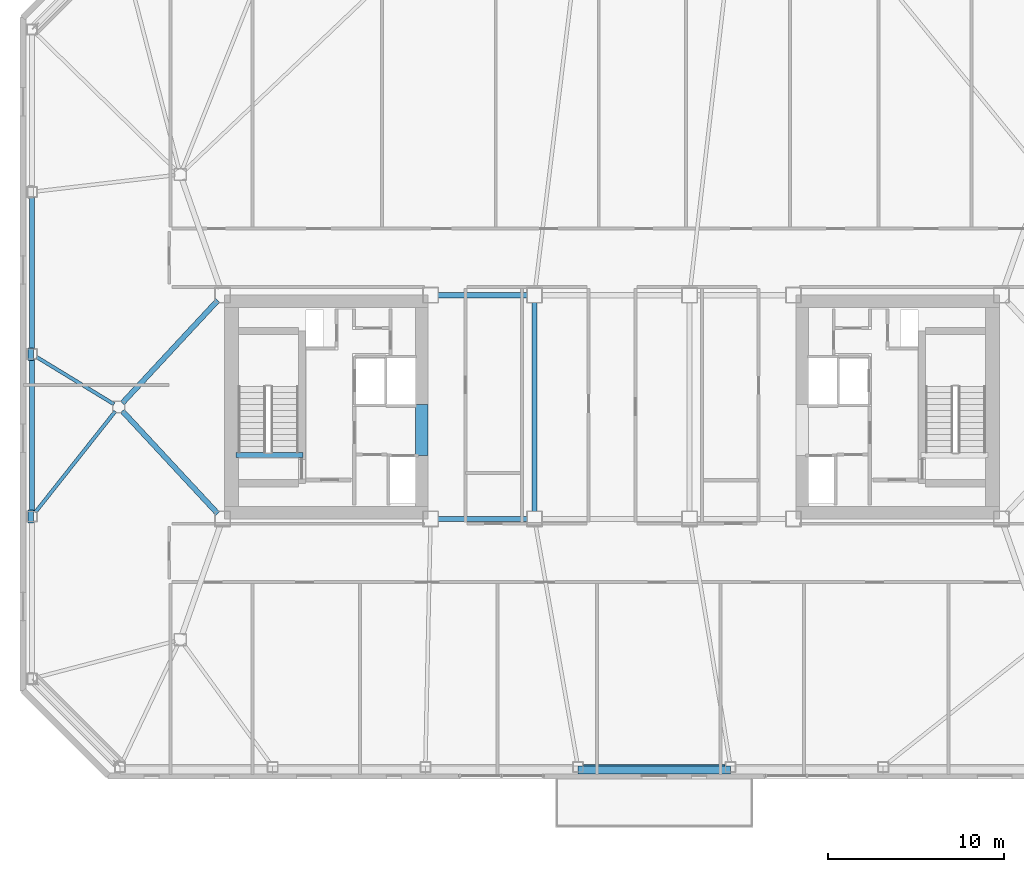
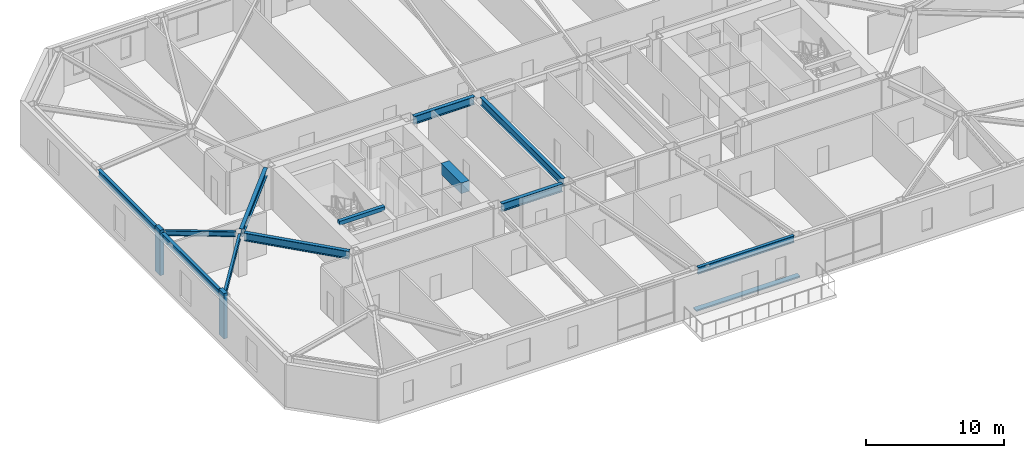
# One storey, part 3 of 19: 12 beams, 3 members.
"""IFC4 building model written with IfcOpenShell, lengths in metres."""

from ifc_helpers import new_model, si_unit, direction, frame, origin, origin_2d, place, context, subcontext, project, spatial, rectangle, i_section, extrude, material, material_profile, profile_set, type_object, element, save


model = new_model("IFC4")

# Units and contexts
model_context = context("Model", 3, precision=1e-05, world=origin(), true_north=direction((0.0, 1.0)))
body_context = subcontext(model_context, "Body", "Model", "MODEL_VIEW")
ifc_project = project(units=[si_unit("LENGTHUNIT", "METRE"), si_unit("AREAUNIT", "SQUARE_METRE"), si_unit("VOLUMEUNIT", "CUBIC_METRE"), si_unit("PLANEANGLEUNIT", "RADIAN"), si_unit("MASSUNIT", "GRAM", prefix="KILO")], contexts=[model_context])

# Site, building, storey
site_placement = place(None, origin())
site = spatial("IfcSite", under=ifc_project, at=site_placement, CompositionType="ELEMENT")
building_placement = place(site_placement, origin())
building = spatial("IfcBuilding", under=site, at=building_placement, Name="Tavrogorsk Clinical Tower", CompositionType="ELEMENT")
storey_placement = place(building_placement, frame((0.0, 0.0, 188.199951171875)))
storey = spatial("IfcBuildingStorey", under=building, at=storey_placement, Name="L43", CompositionType="ELEMENT", Elevation=188.199951171875)

# Member
ifc_material_1 = material(Name="Anodised aluminium alloy AW-6063", Category="aluminium")
ifc_material_profile_1 = material_profile(ifc_material_1, rectangle(XDim=0.449951171875, YDim=0.1201171875, at=origin_2d()), Name="ALU-SUNSHADE-450x120")
ifc_profile_set_1 = profile_set([ifc_material_profile_1], Name="Anodised aluminium alloy AW-6063")
member_type_1 = type_object("IfcMemberType", Name="ChicagoSunshade_450x120", PredefinedType="USERDEFINED", material=ifc_profile_set_1)
member_placement = place(storey_placement, frame((-1.931396484375, -20.60009765625, 0.179931640625), z_axis=(1.0, 0.0, 0.0), x_axis=(0.0, 1.0, 0.0)))
element("IfcMember", 1, at=member_placement, inside=storey, type_object=member_type_1, Name="L43 South Aluminium Sunshade S4", ObjectType="SUNSHADE", PredefinedType="USERDEFINED", context=body_context, shape_type="SweptSolid", body=[
    extrude(rectangle(XDim=0.449951171875, YDim=0.1201171875, at=origin_2d()), origin(), (0.0, 0.0, 1.0), 8.662841796875),
])

# Beams
ifc_material_2 = material(Name="Concrete B80", Category="concrete")
ifc_material_profile_2 = material_profile(ifc_material_2, rectangle(XDim=0.699951171875, YDim=0.949951171875, at=origin_2d()), Name="RC-CB-700x950")
ifc_profile_set_2 = profile_set([ifc_material_profile_2], Name="Concrete B80")
beam_type_1 = type_object("IfcBeamType", Name="CouplingBeam_RC700x950", PredefinedType="LINTEL", material=ifc_profile_set_2)
beam_1_placement = place(storey_placement, frame((-10.800048828125, -2.75, 3.26513671875), z_axis=(0.0, 1.0, 0.0), x_axis=(-1.0, 0.0, 0.0)))
element("IfcBeam", 2, at=beam_1_placement, inside=storey, type_object=beam_type_1, Name="L43 Core West Coupling Beam", PredefinedType="LINTEL", context=body_context, shape_type="SweptSolid", body=[
    extrude(rectangle(XDim=0.699951171875, YDim=0.949951171875, at=origin_2d()), origin(), (0.0, 0.0, 1.0), 2.89990234375),
])
ifc_material_3 = material(Name="Structural steel S355", Category="steel")
ifc_material_profile_3 = material_profile(ifc_material_3, i_section(OverallWidth=0.199951171875, OverallDepth=0.449951171875, WebThickness=0.011474609375, FlangeThickness=0.01806640625, at=origin_2d()), Name="B-450x200x11.5x18")
ifc_profile_set_3 = profile_set([ifc_material_profile_3], Name="Structural steel S355")
beam_type_2 = type_object("IfcBeamType", Name="FloorBeam_B450", PredefinedType="BEAM", material=ifc_profile_set_3)
beam_2_placement = place(storey_placement, frame((-28.2646484375, 0.161376953125, 3.51513671875), z_axis=(-0.853798748257, 0.520603205402, 0.0), x_axis=(-0.520603205402, -0.853798748257, 0.0)))
element("IfcBeam", 3, at=beam_2_placement, inside=storey, type_object=beam_type_2, Name="L43 Radial Floor Beam W3", PredefinedType="BEAM", context=body_context, shape_type="SweptSolid", body=[
    extrude(i_section(OverallWidth=0.199951171875, OverallDepth=0.449951171875, WebThickness=0.011474609375, FlangeThickness=0.01806640625, at=origin_2d()), origin(), (0.0, 0.0, 1.0), 5.14453125),
])
beam_3_placement = place(storey_placement, frame((-28.192626953125, -0.242919921875, 3.51513671875), z_axis=(-0.620987118336, -0.783820769603, 0.0), x_axis=(0.783820769603, -0.620987118336, 0.0)))
element("IfcBeam", 4, at=beam_3_placement, inside=storey, type_object=beam_type_2, Name="L43 Radial Floor Beam W4", PredefinedType="BEAM", context=body_context, shape_type="SweptSolid", body=[
    extrude(i_section(OverallWidth=0.199951171875, OverallDepth=0.449951171875, WebThickness=0.011474609375, FlangeThickness=0.01806640625, at=origin_2d()), origin(), (0.0, 0.0, 1.0), 7.3046875),
])

# Members
ifc_material_4 = material(Name="Precast concrete B45 with limestone cladding", Category="masonry")
ifc_material_profile_4 = material_profile(ifc_material_4, rectangle(XDim=0.320068359375, YDim=0.719970703125, at=origin_2d()), Name="LIMESTONE-FIN-320x720")
ifc_profile_set_4 = profile_set([ifc_material_profile_4], Name="Precast concrete B45 with limestone cladding")
member_type_2 = type_object("IfcMemberType", Name="LimestonePleatFin_320x720", PredefinedType="USERDEFINED", material=ifc_profile_set_4)
for number, where, z_axis, x_axis, name in (
    (5, (-33.0, 3.0, 0.0), (0.0, 0.0, 1.0), (1.0, 0.0, 0.0), "L43 W Pleated Stone Fin 2"),
    (6, (-33.0, -6.2099609375, 0.0), (0.0, 0.0, 1.0), (1.0, 0.0, 0.0), "L43 W Pleated Stone Fin 3"),
):
    element("IfcMember", number, at=place(storey_placement, frame(where, z_axis=z_axis, x_axis=x_axis)), inside=storey, type_object=member_type_2, Name=name, ObjectType="FIN", PredefinedType="USERDEFINED", context=body_context, shape_type="SweptSolid", body=[
        extrude(rectangle(XDim=0.320068359375, YDim=0.719970703125, at=origin_2d()), origin(), (0.0, 0.0, 1.0), 4.0),
    ])

# Beams
ifc_material_5 = material(Name="Structural steel S390", Category="steel")
ifc_material_profile_5 = material_profile(ifc_material_5, i_section(OverallWidth=0.300048828125, OverallDepth=0.699951171875, WebThickness=0.01708984375, FlangeThickness=0.028076171875, at=origin_2d()), Name="B-700x300x17x28")
ifc_profile_set_5 = profile_set([ifc_material_profile_5], Name="Structural steel S390")
beam_type_3 = type_object("IfcBeamType", Name="PrimaryGirder_B700", PredefinedType="USERDEFINED", material=ifc_profile_set_5)
for number, where, z_axis, x_axis, name in (
    (7, (-9.889892578125, -6.35009765625, 3.39013671875), (1.0, 0.0, 0.0), (0.0, 1.0, 0.0), "L43 Primary Spine Girder MG-01"),
    (8, (-9.889892578125, 6.35009765625, 3.39013671875), (1.0, 0.0, 0.0), (0.0, 1.0, 0.0), "L43 Primary Spine Girder MG-02"),
):
    element("IfcBeam", number, at=place(storey_placement, frame(where, z_axis=z_axis, x_axis=x_axis)), inside=storey, type_object=beam_type_3, Name=name, ObjectType="GIRDER", PredefinedType="USERDEFINED", context=body_context, shape_type="SweptSolid", body=[
        extrude(i_section(OverallWidth=0.300048828125, OverallDepth=0.699951171875, WebThickness=0.01708984375, FlangeThickness=0.028076171875, at=origin_2d()), origin(), (0.0, 0.0, 1.0), 5.079833984375),
    ])
beam_4_placement = place(storey_placement, frame((-4.39990234375, -5.93994140625, 3.39013671875), z_axis=(0.0, 1.0, 0.0), x_axis=(-1.0, 0.0, 0.0)))
element("IfcBeam", 9, at=beam_4_placement, inside=storey, type_object=beam_type_3, Name="L43 Primary Spine Girder MG-07", ObjectType="GIRDER", PredefinedType="USERDEFINED", context=body_context, shape_type="SweptSolid", body=[
    extrude(i_section(OverallWidth=0.300048828125, OverallDepth=0.699951171875, WebThickness=0.01708984375, FlangeThickness=0.028076171875, at=origin_2d()), origin(), (0.0, 0.0, 1.0), 11.8798828125),
])
for number, where, z_axis, x_axis, name in (
    (10, (-27.7890625, -0.22705078125, 3.39013671875), (0.680673750312, -0.732586681312, 0.0), (0.732586681312, 0.680673750312, 0.0), "L43 Spine Link Girder OPG-5"),
    (11, (-27.7890625, 0.22705078125, 3.39013671875), (0.680673750312, 0.732586681312, 0.0), (-0.732586681312, 0.680673750312, 0.0), "L43 Spine Link Girder OPG-6"),
):
    element("IfcBeam", number, at=place(storey_placement, frame(where, z_axis=z_axis, x_axis=x_axis)), inside=storey, type_object=beam_type_3, Name=name, ObjectType="GIRDER", PredefinedType="USERDEFINED", context=body_context, shape_type="SweptSolid", body=[
        extrude(i_section(OverallWidth=0.300048828125, OverallDepth=0.699951171875, WebThickness=0.01708984375, FlangeThickness=0.028076171875, at=origin_2d()), origin(), (0.0, 0.0, 1.0), 7.947998046875),
    ])
ifc_material_6 = material(Name="Structural steel S390", Category="steel")
ifc_material_profile_6 = material_profile(ifc_material_6, i_section(OverallWidth=0.260009765625, OverallDepth=0.60009765625, WebThickness=0.014892578125, FlangeThickness=0.02392578125, at=origin_2d()), Name="B-600x260x15x24")
ifc_profile_set_6 = profile_set([ifc_material_profile_6], Name="Structural steel S390")
beam_type_4 = type_object("IfcBeamType", Name="SpandrelBeam_B600", PredefinedType="SPANDREL", material=ifc_profile_set_6)
beam_5_placement = place(storey_placement, frame((-1.623291015625, -20.419921875, 3.43994140625), z_axis=(1.0, 0.0, 0.0), x_axis=(0.0, 1.0, 0.0)))
element("IfcBeam", 12, at=beam_5_placement, inside=storey, type_object=beam_type_4, Name="L43 Perimeter Spandrel S4-S5", PredefinedType="SPANDREL", context=body_context, shape_type="SweptSolid", body=[
    extrude(i_section(OverallWidth=0.260009765625, OverallDepth=0.60009765625, WebThickness=0.014892578125, FlangeThickness=0.02392578125, at=origin_2d()), origin(), (0.0, 0.0, 1.0), 8.046630859375),
])
for number, where, z_axis, x_axis, name in (
    (13, (-32.919921875, 11.902099609375, 3.43994140625), (0.0, -1.0, 0.0), (1.0, 0.0, 0.0), "L43 Perimeter Spandrel W2-W3"),
    (14, (-32.919921875, 2.69189453125, 3.43994140625), (0.0, -1.0, 0.0), (1.0, 0.0, 0.0), "L43 Perimeter Spandrel W3-W4"),
):
    element("IfcBeam", number, at=place(storey_placement, frame(where, z_axis=z_axis, x_axis=x_axis)), inside=storey, type_object=beam_type_4, Name=name, PredefinedType="SPANDREL", context=body_context, shape_type="SweptSolid", body=[
        extrude(i_section(OverallWidth=0.260009765625, OverallDepth=0.60009765625, WebThickness=0.014892578125, FlangeThickness=0.02392578125, at=origin_2d()), origin(), (0.0, 0.0, 1.0), 8.593994140625),
    ])
ifc_material_7 = material(Name="Concrete B60", Category="concrete")
ifc_material_profile_7 = material_profile(ifc_material_7, rectangle(XDim=0.300048828125, YDim=0.35009765625, at=origin_2d()), Name="RC-SHB-300x350")
ifc_profile_set_7 = profile_set([ifc_material_profile_7], Name="Concrete B60")
beam_type_5 = type_object("IfcBeamType", Name="StairHeaderBeam_RC300x350", PredefinedType="BEAM", material=ifc_profile_set_7)
beam_6_placement = place(storey_placement, frame((-21.35009765625, -2.719970703125, 3.824951171875), z_axis=(1.0, 0.0, 0.0), x_axis=(0.0, 1.0, 0.0)))
element("IfcBeam", 15, at=beam_6_placement, inside=storey, type_object=beam_type_5, Name="L44 ST-W Landing Header Beam", PredefinedType="BEAM", context=body_context, shape_type="SweptSolid", body=[
    extrude(rectangle(XDim=0.300048828125, YDim=0.35009765625, at=origin_2d()), origin(), (0.0, 0.0, 1.0), 3.800048828125),
])

save(model, "model.ifc")
